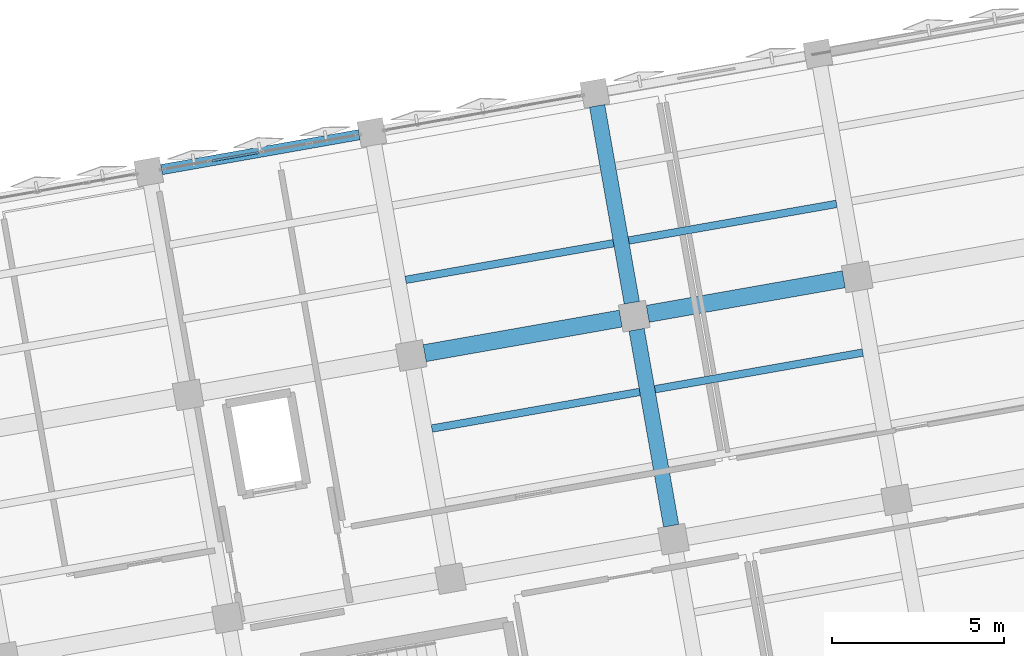
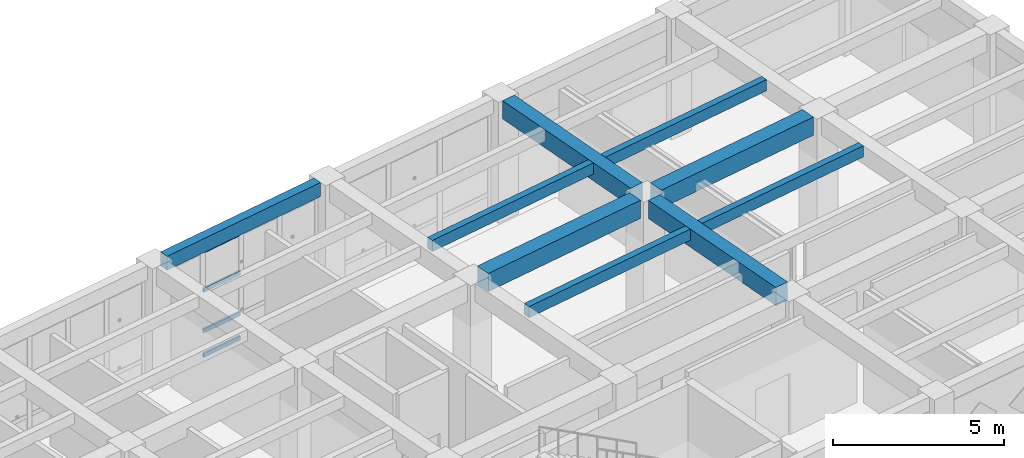
# One storey, part 22 of 80: 9 beams, 4 members, 1 element without a shape of its own.
"""IFC4 building model written with IfcOpenShell, lengths in metres."""

from ifc_helpers import new_model, si_unit, direction, frame, origin, origin_2d, place, context, subcontext, project, spatial, rectangle, hollow_rectangle, extrude, material, layer, layer_set, material_profile, profile_set, type_object, element, aggregate, save


model = new_model("IFC4")

# Units and contexts
model_context = context("Model", 3, precision=1e-05, world=origin(), true_north=direction((0.0, 1.0)))
body_context = subcontext(model_context, "Body", "Model", "MODEL_VIEW")
ifc_project = project(units=[si_unit("LENGTHUNIT", "METRE"), si_unit("AREAUNIT", "SQUARE_METRE"), si_unit("VOLUMEUNIT", "CUBIC_METRE"), si_unit("PLANEANGLEUNIT", "RADIAN"), si_unit("MASSUNIT", "GRAM", prefix="KILO")], contexts=[model_context])

# Site, building, storey
site_placement = place(None, origin())
site = spatial("IfcSite", under=ifc_project, at=site_placement, CompositionType="ELEMENT")
building_placement = place(site_placement, origin())
building = spatial("IfcBuilding", under=site, at=building_placement, Name="Kharisveld Research Institute", CompositionType="ELEMENT")
storey_placement = place(building_placement, frame((0.0, 0.0, 5.10009765625)))
storey = spatial("IfcBuildingStorey", under=building, at=storey_placement, Name="L01", CompositionType="ELEMENT", Elevation=5.10009765625)

# Beams
ifc_material_1 = material(Name="Concrete C40/50", Category="concrete")
ifc_material_profile_1 = material_profile(ifc_material_1, rectangle(XDim=0.449951171875, YDim=0.64990234375, at=origin_2d()))
ifc_profile_set_1 = profile_set([ifc_material_profile_1], Name="Concrete C40/50")
beam_type_1 = type_object("IfcBeamType", Name="BM_RC_450x650", PredefinedType="BEAM", material=ifc_profile_set_1)
beam_1_placement = place(storey_placement, frame((29.9833984375, 46.488037109375, 3.98486328125), z_axis=(-0.17363405094, 0.984810243831, 0.0), x_axis=(-0.984810243831, -0.17363405094, 0.0)))
element("IfcBeam", 1, at=beam_1_placement, inside=storey, type_object=beam_type_1, Name="BM:V1:L01:V4_1", PredefinedType="BEAM", context=body_context, shape_type="SweptSolid", body=[
    extrude(rectangle(XDim=0.449951171875, YDim=0.64990234375, at=origin_2d()), origin(), (0.0, 0.0, 1.0), 5.800048828125),
])
beam_2_placement = place(storey_placement, frame((28.83740234375, 52.98779296875, 3.98486328125), z_axis=(-0.173649041937, 0.984807600618, 0.0), x_axis=(-0.984807600618, -0.173649041937, 0.0)))
element("IfcBeam", 2, at=beam_2_placement, inside=storey, type_object=beam_type_1, Name="BM:V1:L01:V4_2", PredefinedType="BEAM", context=body_context, shape_type="SweptSolid", body=[
    extrude(rectangle(XDim=0.449951171875, YDim=0.64990234375, at=origin_2d()), origin(), (0.0, 0.0, 1.0), 5.82470703125),
])
ifc_material_2 = material(Name="Concrete C40/50", Category="concrete")
ifc_material_profile_2 = material_profile(ifc_material_2, rectangle(XDim=0.5, YDim=0.64990234375, at=origin_2d()))
ifc_profile_set_2 = profile_set([ifc_material_profile_2], Name="Concrete C40/50")
beam_type_2 = type_object("IfcBeamType", Name="BM_RC_500x650", PredefinedType="BEAM", material=ifc_profile_set_2)
for number, where, z_axis, x_axis, name in (
    (3, (22.801025390625, 51.51708984375, 3.98486328125), (0.98480304526, 0.17367487454, 0.0), (-0.17367487454, 0.98480304526, 0.0), "BM:V1:L01:U3_2"),
    (4, (29.30078125, 52.663330078125, 3.98486328125), (0.984810243831, 0.17363405094, 0.0), (-0.17363405094, 0.984810243831, 0.0), "BM:V1:L01:U4_2"),
):
    element("IfcBeam", number, at=place(storey_placement, frame(where, z_axis=z_axis, x_axis=x_axis)), inside=storey, type_object=beam_type_2, Name=name, PredefinedType="BEAM", context=body_context, shape_type="SweptSolid", body=[
        extrude(rectangle(XDim=0.5, YDim=0.64990234375, at=origin_2d()), origin(), (0.0, 0.0, 1.0), 5.800048828125),
    ])

# Curtain wall, members
ifc_material_3 = material(Name="Thermally Broken Aluminium Curtain Wall", Category="aluminium")
ifc_layer = layer(ifc_material_3, 0.159912109375)
ifc_layer_set = layer_set([ifc_layer], Name="CW_SYS_04")
curtain_wall_type = type_object("IfcCurtainWallType", Name="CW_SYS_04", PredefinedType="NOTDEFINED", material=ifc_layer_set)
curtain_wall_placement = place(storey_placement, origin())
curtain_wall = element("IfcCurtainWall", 5, at=curtain_wall_placement, inside=storey, type_object=curtain_wall_type, Name="CW:V1:L01:N2", PredefinedType="NOTDEFINED")
ifc_material_4 = material(Name="Anodised Aluminium AW-6063-T6", Category="aluminium")
ifc_material_profile_3 = material_profile(ifc_material_4, hollow_rectangle(XDim=0.06494140625, YDim=0.139892578125, WallThickness=0.00390625, at=origin_2d()))
ifc_profile_set_3 = profile_set([ifc_material_profile_3], Name="Anodised Aluminium AW-6063-T6")
member_type = type_object("IfcMemberType", Name="CW_TRN_140", PredefinedType="USERDEFINED", material=ifc_profile_set_3)
member_1_placement = place(storey_placement, frame((16.602783203125, 57.1259765625, 0.032470703125), z_axis=(0.984783558818, 0.173785333909, 0.0), x_axis=(-0.173785333909, 0.984783558818, 0.0)))
member_1 = element("IfcMember", 6, at=member_1_placement, type_object=member_type, Name="CW-04 transom 2.1", ObjectType="TRANSOM", PredefinedType="USERDEFINED", context=body_context, shape_type="SweptSolid", body=[
    extrude(hollow_rectangle(XDim=0.06494140625, YDim=0.139892578125, WallThickness=0.00390625, at=origin_2d()), origin(), (0.0, 0.0, 1.0), 1.39501953125),
])
member_2_placement = place(storey_placement, frame((16.602783203125, 57.1259765625, 0.89990234375), z_axis=(0.984783558818, 0.173785333909, 0.0), x_axis=(-0.173785333909, 0.984783558818, 0.0)))
member_2 = element("IfcMember", 7, at=member_2_placement, type_object=member_type, Name="CW-04 transom 2.2", ObjectType="TRANSOM", PredefinedType="USERDEFINED", context=body_context, shape_type="SweptSolid", body=[
    extrude(hollow_rectangle(XDim=0.06494140625, YDim=0.139892578125, WallThickness=0.00390625, at=origin_2d()), origin(), (0.0, 0.0, 1.0), 1.39501953125),
])
member_3_placement = place(storey_placement, frame((16.602783203125, 57.1259765625, 2.349853515625), z_axis=(0.984783558818, 0.173785333909, 0.0), x_axis=(-0.173785333909, 0.984783558818, 0.0)))
member_3 = element("IfcMember", 8, at=member_3_placement, type_object=member_type, Name="CW-04 transom 2.3", ObjectType="TRANSOM", PredefinedType="USERDEFINED", context=body_context, shape_type="SweptSolid", body=[
    extrude(hollow_rectangle(XDim=0.06494140625, YDim=0.139892578125, WallThickness=0.00390625, at=origin_2d()), origin(), (0.0, 0.0, 1.0), 1.39501953125),
])
member_4_placement = place(storey_placement, frame((16.602783203125, 57.1259765625, 3.747314453125), z_axis=(0.984783558818, 0.173785333909, 0.0), x_axis=(-0.173785333909, 0.984783558818, 0.0)))
member_4 = element("IfcMember", 9, at=member_4_placement, type_object=member_type, Name="CW-04 transom 2.4", ObjectType="TRANSOM", PredefinedType="USERDEFINED", context=body_context, shape_type="SweptSolid", body=[
    extrude(hollow_rectangle(XDim=0.06494140625, YDim=0.139892578125, WallThickness=0.00390625, at=origin_2d()), origin(), (0.0, 0.0, 1.0), 1.39501953125),
])
aggregate(curtain_wall, [member_1, member_2, member_3, member_4])

# Beams
ifc_material_5 = material(Name="Concrete C40/50", Category="concrete")
ifc_material_profile_4 = material_profile(ifc_material_5, rectangle(XDim=0.300048828125, YDim=0.5, at=origin_2d()))
ifc_profile_set_4 = profile_set([ifc_material_profile_4], Name="Concrete C40/50")
beam_type_3 = type_object("IfcBeamType", Name="SP_RC_300x500", PredefinedType="SPANDREL", material=ifc_profile_set_4)
beam_3_placement = place(storey_placement, frame((15.130615234375, 56.866455078125, 4.059814453125), z_axis=(0.984806238245, 0.17365676812, 0.0), x_axis=(-0.17365676812, 0.984806238245, 0.0)))
element("IfcBeam", 10, at=beam_3_placement, inside=storey, type_object=beam_type_3, Name="BM:V1:L01:U2_3", PredefinedType="SPANDREL", context=body_context, shape_type="SweptSolid", body=[
    extrude(rectangle(XDim=0.300048828125, YDim=0.5, at=origin_2d()), origin(), (0.0, 0.0, 1.0), 5.849853515625),
])
ifc_material_6 = material(Name="Concrete C40/50", Category="concrete")
ifc_material_profile_5 = material_profile(ifc_material_6, rectangle(XDim=0.219970703125, YDim=0.39990234375, at=origin_2d()))
ifc_profile_set_5 = profile_set([ifc_material_profile_5], Name="Concrete C40/50")
beam_type_4 = type_object("IfcBeamType", Name="WB_RC_220x400", PredefinedType="JOIST", material=ifc_profile_set_5)
beam_4_placement = place(storey_placement, frame((23.0107421875, 49.320068359375, 4.10986328125), z_axis=(0.9848019372, 0.173681157546, 0.0), x_axis=(-0.173681157546, 0.9848019372, 0.0)))
element("IfcBeam", 11, at=beam_4_placement, inside=storey, type_object=beam_type_4, Name="BM:V1:L01:J_3_1_R2", PredefinedType="JOIST", context=body_context, shape_type="SweptSolid", body=[
    extrude(rectangle(XDim=0.219970703125, YDim=0.39990234375, at=origin_2d()), origin(), (0.0, 0.0, 1.0), 6.14990234375),
])
beam_5_placement = place(storey_placement, frame((22.24658203125, 53.6533203125, 4.10986328125), z_axis=(0.984809923515, 0.173635867682, 0.0), x_axis=(-0.173635867682, 0.984809923515, 0.0)))
element("IfcBeam", 12, at=beam_5_placement, inside=storey, type_object=beam_type_4, Name="BM:V1:L01:J_3_2_R1", PredefinedType="JOIST", context=body_context, shape_type="SweptSolid", body=[
    extrude(rectangle(XDim=0.219970703125, YDim=0.39990234375, at=origin_2d()), origin(), (0.0, 0.0, 1.0), 6.150146484375),
])
beam_6_placement = place(storey_placement, frame((29.510498046875, 50.46630859375, 4.10986328125), z_axis=(0.984808726596, 0.17364265611, 0.0), x_axis=(-0.17364265611, 0.984808726596, 0.0)))
element("IfcBeam", 13, at=beam_6_placement, inside=storey, type_object=beam_type_4, Name="BM:V1:L01:J_4_1_R2", PredefinedType="JOIST", context=body_context, shape_type="SweptSolid", body=[
    extrude(rectangle(XDim=0.219970703125, YDim=0.39990234375, at=origin_2d()), origin(), (0.0, 0.0, 1.0), 6.14990234375),
])
beam_7_placement = place(storey_placement, frame((28.746337890625, 54.79931640625, 4.10986328125), z_axis=(0.984803134643, 0.173674367706, 0.0), x_axis=(-0.173674367706, 0.984803134643, 0.0)))
element("IfcBeam", 14, at=beam_7_placement, inside=storey, type_object=beam_type_4, Name="BM:V1:L01:J_4_2_R1", PredefinedType="JOIST", context=body_context, shape_type="SweptSolid", body=[
    extrude(rectangle(XDim=0.219970703125, YDim=0.39990234375, at=origin_2d()), origin(), (0.0, 0.0, 1.0), 6.150146484375),
])

save(model, "model.ifc")
